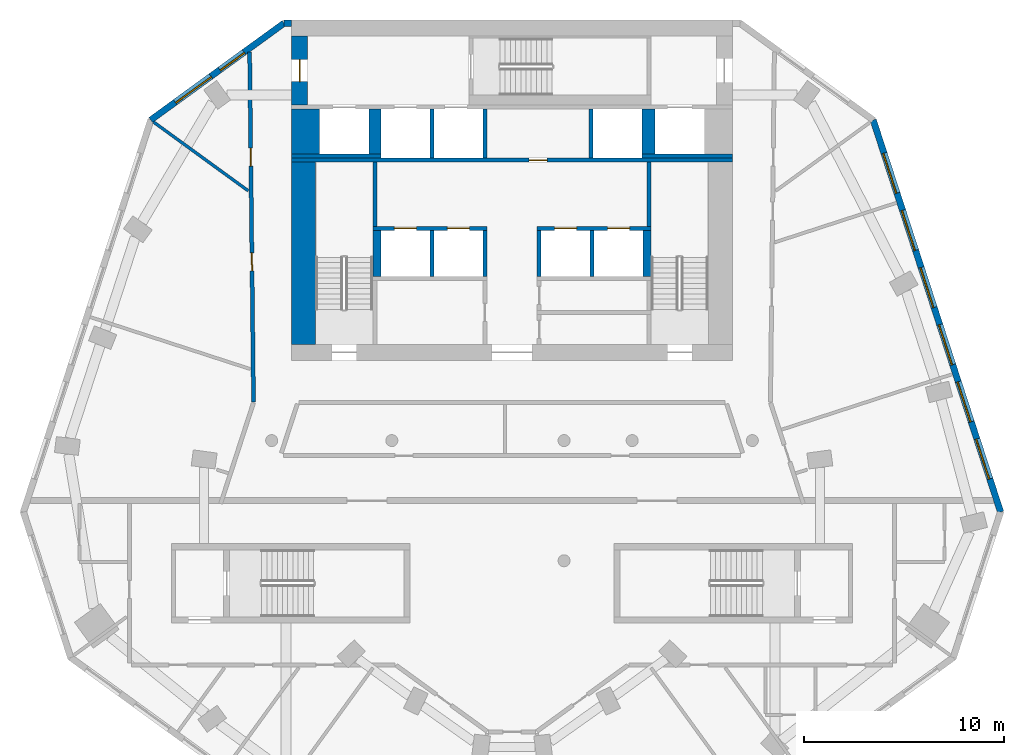
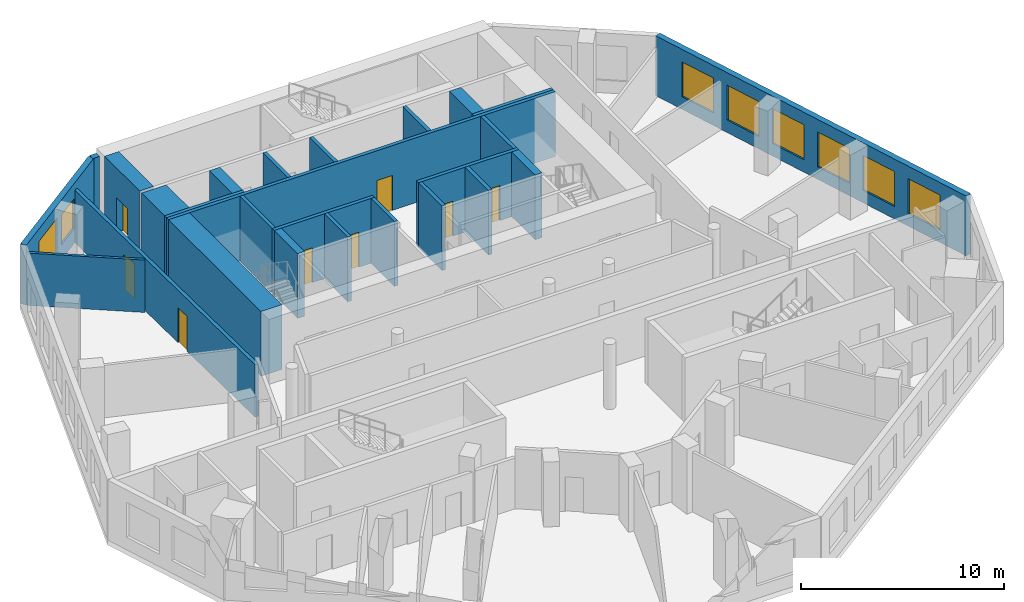
# One storey, part 5 of 9: 26 walls, 8 doors, 8 windows, 16 openings.
"""IFC4 building model written with IfcOpenShell, lengths in metres."""

import ifcopenshell
import ifcopenshell.guid

model = None  # the IFC model being written
_history = None  # IfcOwnerHistory: only IFC2X3 demands one
_inside = {}  # id of a spatial element -> (the spatial element, [elements in it])
_under = {}  # id of a project, library or spatial element -> (it, [spatial elements below it])
_declared = {}  # id of a project -> (the project, [libraries it declares])
_typed = {}  # id of a type object -> (the type object, [elements of that type])
_made_of = {}  # id of a material, layer set ... -> (it, [elements and type objects made of it])


def new_model(schema):
    """Start an empty IFC model of exactly this schema.

    Asked for "IFC4X3", IfcOpenShell would pick the latest addendum, in which some entities
    have other attributes; the version numbers below select the first issue.
    IFC2X3 requires an IfcOwnerHistory on every rooted entity: one is made here for all.
    """
    global model, _history
    if schema == "IFC4X3":
        model = ifcopenshell.file(schema_version=(4, 3, 0, 0))
    else:
        model = ifcopenshell.file(schema=schema)
    _inside.clear()
    _under.clear()
    _declared.clear()
    _typed.clear()
    _made_of.clear()
    _history = None
    if model.schema == "IFC2X3":
        org = make("IfcOrganization", Name="unknown")
        user = make(
            "IfcPersonAndOrganization",
            ThePerson=make("IfcPerson", FamilyName="unknown"),
            TheOrganization=org,
        )
        app = make(
            "IfcApplication",
            ApplicationDeveloper=org,
            Version="unknown",
            ApplicationFullName="unknown",
            ApplicationIdentifier="unknown",
        )
        _history = make(
            "IfcOwnerHistory",
            OwningUser=user,
            OwningApplication=app,
            ChangeAction="ADDED",
            CreationDate=0,
        )
    return model


def make(cls, **values):
    """One entity of the class cls with the attributes given. An attribute that is None is left unset."""
    return model.create_entity(
        cls, **{name: value for name, value in values.items() if value is not None}
    )


def rooted(cls, **values):
    """An entity with a GlobalId (a new one), such as an element, a storey or a relation."""
    return make(cls, GlobalId=ifcopenshell.guid.new(), OwnerHistory=_history, **values)


def si_unit(unit_type, name, prefix=None):
    """IfcSIUnit, for example si_unit("LENGTHUNIT", "METRE", prefix="MILLI")."""
    return make("IfcSIUnit", UnitType=unit_type, Prefix=prefix, Name=name)


def assignment(units):
    """IfcUnitAssignment: the units of a project."""
    return None if units is None else make("IfcUnitAssignment", Units=units)


def point(xyz):
    """IfcCartesianPoint."""
    return None if xyz is None else make("IfcCartesianPoint", Coordinates=xyz)


def direction(xyz):
    """IfcDirection."""
    return None if xyz is None else make("IfcDirection", DirectionRatios=xyz)


def frame(location, z_axis=None, x_axis=None):
    """IfcAxis2Placement3D, a coordinate frame: its origin and axes. An axis left out is left unset."""
    return make(
        "IfcAxis2Placement3D",
        Location=point(location),
        Axis=direction(z_axis),
        RefDirection=direction(x_axis),
    )


def frame_2d(location, x_axis=None):
    """IfcAxis2Placement2D, a coordinate frame in the plane: its origin and x axis."""
    return make(
        "IfcAxis2Placement2D", Location=point(location), RefDirection=direction(x_axis)
    )


def origin():
    """The frame at (0, 0, 0) with its axes left unset."""
    return frame((0.0, 0.0, 0.0))


def place(relative_to, where):
    """IfcLocalPlacement: puts the frame where relative to a parent placement (None: the world)."""
    return make(
        "IfcLocalPlacement", PlacementRelTo=relative_to, RelativePlacement=where
    )


def context(
    kind, dimensions, precision=None, world=None, true_north=None, identifier=None
):
    """IfcGeometricRepresentationContext, for example the 3D "Model" context."""
    return make(
        "IfcGeometricRepresentationContext",
        ContextIdentifier=identifier,
        ContextType=kind,
        CoordinateSpaceDimension=dimensions,
        Precision=precision,
        WorldCoordinateSystem=world,
        TrueNorth=true_north,
    )


def subcontext(parent, identifier, kind, view, scale=None):
    """IfcGeometricRepresentationSubContext, for example "Body" below "Model"."""
    return make(
        "IfcGeometricRepresentationSubContext",
        ContextIdentifier=identifier,
        ContextType=kind,
        ParentContext=parent,
        TargetScale=scale,
        TargetView=view,
    )


def project(units=None, contexts=None):
    """IfcProject with its units and contexts."""
    return rooted(
        "IfcProject",
        Name="project",
        RepresentationContexts=contexts,
        UnitsInContext=assignment(units),
    )


def spatial(cls, under=None, at=None, **own):
    """A site, building, storey or space (cls), placed at a placement, below another one or the project."""
    s = rooted(cls, ObjectPlacement=at, **own)
    if under is not None:
        _under.setdefault(under.id(), (under, []))[1].append(s)
    return s


def profile(cls, at=None, kind="AREA", **sizes):
    """A parametric profile (cls). Its sizes go by their IFC names, for example OverallWidth=200.0."""
    return make(cls, ProfileType=kind, Position=at, **sizes)


def rectangle(**sizes):
    """IfcRectangleProfileDef."""
    return profile("IfcRectangleProfileDef", **sizes)


def extrude(swept, where, along, depth):
    """IfcExtrudedAreaSolid: the profile swept, set in the frame where, extruded along a direction by depth."""
    return make(
        "IfcExtrudedAreaSolid",
        SweptArea=swept,
        Position=where,
        ExtrudedDirection=direction(along),
        Depth=depth,
    )


def shape(context_of_items, identifier, shape_type, items):
    """IfcShapeRepresentation: the items that make up one representation, for example the "Body"."""
    return make(
        "IfcShapeRepresentation",
        ContextOfItems=context_of_items,
        RepresentationIdentifier=identifier,
        RepresentationType=shape_type,
        Items=items,
    )


def material(Name=None, Category=None):
    """IfcMaterial."""
    return make("IfcMaterial", Name=Name, Category=Category)


def layer(
    of_material, thickness, ventilated=None, Name=None, Category=None, Priority=None
):
    """IfcMaterialLayer: one layer of a wall or slab, of a material (None: an air gap)."""
    return make(
        "IfcMaterialLayer",
        Material=of_material,
        LayerThickness=thickness,
        IsVentilated=ventilated,
        Name=Name,
        Category=Category,
        Priority=Priority,
    )


def layer_set(layers, Name=None):
    """IfcMaterialLayerSet."""
    return make("IfcMaterialLayerSet", MaterialLayers=layers, LayerSetName=Name)


def made_of(thing, what):
    """Note that an element or type object is made of a material, layer set ...; save() writes the relation."""
    if what is not None:
        _made_of.setdefault(what.id(), (what, []))[1].append(thing)
    return thing


def type_object(cls, material=None, **own):
    """A type object (cls), such as IfcWallType, which elements share."""
    return made_of(rooted(cls, **own), material)


def element(
    cls,
    number,
    at=None,
    inside=None,
    cuts=None,
    type_object=None,
    material=None,
    context=None,
    identifier="Body",
    shape_type=None,
    held_by="IfcProductDefinitionShape",
    body=None,
    shapes=None,
    **own,
):
    """One element of the class cls, such as IfcWall. Its Tag is "e" and its number.

    at: its placement. inside: the storey or other place that contains it. cuts: it is an
    opening in that element (IfcRelVoidsElement). A single representation is given by context,
    identifier, shape_type and body (its items); several are given by shapes. held_by: the class
    of the entity that holds the representations. save() writes the other relations.
    """
    e = rooted(cls, Tag="e%d" % number, ObjectPlacement=at, **own)
    if body is not None:
        shapes = [shape(context, identifier, shape_type, body)]
    if shapes is not None:
        e.Representation = make(held_by, Representations=shapes)
    if inside is not None:
        _inside.setdefault(inside.id(), (inside, []))[1].append(e)
    if cuts is not None:
        rooted(
            "IfcRelVoidsElement", RelatingBuildingElement=cuts, RelatedOpeningElement=e
        )
    if type_object is not None:
        _typed.setdefault(type_object.id(), (type_object, []))[1].append(e)
    return made_of(e, material)


def fill(opening, filler):
    """IfcRelFillsElement: the door or window that sits in an opening."""
    return rooted(
        "IfcRelFillsElement",
        RelatingOpeningElement=opening,
        RelatedBuildingElement=filler,
    )


def aggregate(whole, parts):
    """IfcRelAggregates: a whole, such as a stair, and the parts it consists of."""
    return rooted("IfcRelAggregates", RelatingObject=whole, RelatedObjects=parts)


def save(model, path):
    """Write the relations noted so far, then the file.

    IfcRelAggregates (storeys below a building ...), IfcRelContainedInSpatialStructure (elements
    in a storey), IfcRelDefinesByType, IfcRelAssociatesMaterial and IfcRelDeclares: one each for
    every whole, place, type object, material and project.
    """
    for whole, parts in _under.values():
        aggregate(whole, parts)
    for where, things in _inside.values():
        rooted(
            "IfcRelContainedInSpatialStructure",
            RelatedElements=things,
            RelatingStructure=where,
        )
    for kind, things in _typed.values():
        rooted("IfcRelDefinesByType", RelatedObjects=things, RelatingType=kind)
    for what, things in _made_of.values():
        rooted("IfcRelAssociatesMaterial", RelatedObjects=things, RelatingMaterial=what)
    for by, libraries in _declared.values():
        rooted("IfcRelDeclares", RelatingContext=by, RelatedDefinitions=libraries)
    model.write(path)


model = new_model("IFC4")

# Units and contexts
model_context = context("Model", 3, precision=1e-05, world=origin(), true_north=direction((0.0, 1.0)))
body_context = subcontext(model_context, "Body", "Model", "MODEL_VIEW")
ifc_project = project(units=[si_unit("LENGTHUNIT", "METRE"), si_unit("AREAUNIT", "SQUARE_METRE"), si_unit("VOLUMEUNIT", "CUBIC_METRE"), si_unit("PLANEANGLEUNIT", "RADIAN"), si_unit("MASSUNIT", "GRAM", prefix="KILO")], contexts=[model_context])

# Site, building, storey
site_placement = place(None, origin())
site = spatial("IfcSite", under=ifc_project, at=site_placement, CompositionType="ELEMENT")
building_placement = place(site_placement, origin())
building = spatial("IfcBuilding", under=site, at=building_placement, Name="White Candle Pilgrim Tower", CompositionType="ELEMENT")
storey_placement = place(building_placement, frame((0.0, 0.0, 223.800048828125)))
storey = spatial("IfcBuildingStorey", under=building, at=storey_placement, Name="L52", CompositionType="ELEMENT", Elevation=223.800048828125)

# Walls
ifc_material_1 = material(Name="Concrete C50/60", Category="concrete")
ifc_layer_1 = layer(ifc_material_1, 1.39990234375)
ifc_layer_set_1 = layer_set([ifc_layer_1], Name="Core wall 1400 mm Concrete C50/60")
wall_type_1 = type_object("IfcWallType", Name="Core wall 1400 mm Concrete C50/60", PredefinedType="SHEAR", material=ifc_layer_set_1)
wall_1_placement = place(storey_placement, frame((59.699951171875, 81.300048828125, 0.0), z_axis=(0.0, 0.0, 1.0), x_axis=(0.0, 1.0, 0.0)))
element("IfcWall", 1, at=wall_1_placement, inside=storey, type_object=wall_type_1, Name="WL-L52-C39", PredefinedType="SHEAR", context=body_context, shape_type="SweptSolid", body=[
    extrude(rectangle(XDim=2.25, YDim=1.39990234375, at=frame_2d((1.125, 0.0))), origin(), (0.0, 0.0, 1.0), 3.89990234375),
])
ifc_layer_2 = layer(ifc_material_1, 0.199951171875)
ifc_layer_set_2 = layer_set([ifc_layer_2], Name="Core wall 200 mm Concrete C50/60")
wall_type_2 = type_object("IfcWallType", Name="Core wall 200 mm Concrete C50/60", PredefinedType="SHEAR", material=ifc_layer_set_2)
wall_2_placement = place(storey_placement, frame((59.0, 81.199951171875, 0.0), z_axis=(0.0, 0.0, 1.0), x_axis=(1.0, 0.0, 0.0)))
element("IfcWall", 2, at=wall_2_placement, inside=storey, type_object=wall_type_2, Name="WL-L52-C34", PredefinedType="SHEAR", context=body_context, shape_type="SweptSolid", body=[
    extrude(rectangle(XDim=4.449951171875, YDim=0.199951171875, at=frame_2d((2.22509765625, 0.0))), origin(), (0.0, 0.0, 1.0), 3.89990234375),
])
wall_3_placement = place(storey_placement, frame((76.5, 81.199951171875, 0.0), z_axis=(0.0, 0.0, 1.0), x_axis=(1.0, 0.0, 0.0)))
element("IfcWall", 3, at=wall_3_placement, inside=storey, type_object=wall_type_2, Name="WL-L52-C38", PredefinedType="SHEAR", context=body_context, shape_type="SweptSolid", body=[
    extrude(rectangle(XDim=4.5, YDim=0.199951171875, at=frame_2d((2.25, 0.0))), origin(), (0.0, 0.0, 1.0), 3.89990234375),
])

# Wall, opening, door
ifc_layer_3 = layer(ifc_material_1, 0.800048828125)
ifc_layer_set_3 = layer_set([ifc_layer_3], Name="Core wall 800 mm Concrete C50/60")
wall_type_3 = type_object("IfcWallType", Name="Core wall 800 mm Concrete C50/60", PredefinedType="SHEAR", material=ifc_layer_set_3)
wall_4_placement = place(storey_placement, frame((59.39990234375, 83.75, 0.0), z_axis=(0.0, 0.0, 1.0), x_axis=(0.0, 1.0, 0.0)))
wall_4 = element("IfcWall", 4, at=wall_4_placement, inside=storey, type_object=wall_type_3, Name="WL-L52-C44", PredefinedType="SHEAR", context=body_context, shape_type="SweptSolid", body=[
    extrude(rectangle(XDim=3.449951171875, YDim=0.800048828125, at=frame_2d((1.72509765625, 0.0))), origin(), (0.0, 0.0, 1.0), 3.89990234375),
])
opening_1_placement = place(wall_4_placement, frame((1.175048828125, 0.0, 0.0)))
opening_1 = element("IfcOpeningElement", 5, at=opening_1_placement, cuts=wall_4, Name="Opening T16-008", PredefinedType="OPENING", context=body_context, shape_type="SweptSolid", body=[
    extrude(rectangle(XDim=1.10009765625, YDim=2.10009765625, at=frame_2d((0.550048828125, 1.050048828125))), frame((0.0, 0.409912109375, 0.0), z_axis=(0.0, -1.0, 0.0), x_axis=(1.0, 0.0, 0.0)), (0.0, 0.0, 1.0), 0.820068359375),
])
ifc_material_2 = material(Name="Steel door leaf", Category="steel")
door_type_1 = type_object("IfcDoorType", Name="Fire door 1100 x 2100 EI 60", OperationType="NOTDEFINED", PredefinedType="DOOR", material=ifc_material_2)
door_1_placement = place(opening_1_placement, origin())
door_1 = element("IfcDoor", 6, at=door_1_placement, inside=storey, type_object=door_type_1, Name="Door T16-008", OperationType="SINGLE_SWING_RIGHT", OverallHeight=2.10009765625, OverallWidth=1.10009765625, PredefinedType="DOOR", context=body_context, shape_type="SweptSolid", body=[
    extrude(rectangle(XDim=1.10009765625, YDim=2.10009765625, at=frame_2d((0.550048828125, 1.050048828125))), frame((0.0, 0.02490234375, 0.0), z_axis=(0.0, -1.0, 0.0), x_axis=(1.0, 0.0, 0.0)), (0.0, 0.0, 1.0), 0.050048828125),
])
fill(opening_1, door_1)

# Wall, openings, doors
ifc_material_3 = material(Name="Gypsum board on steel studs", Category="steel")
ifc_layer_4 = layer(ifc_material_3, 0.199951171875)
ifc_layer_set_4 = layer_set([ifc_layer_4], Name="Corridor wall 200 mm EI 45")
wall_type_4 = type_object("IfcWallType", Name="Corridor wall 200 mm EI 45", PredefinedType="PARTITIONING", material=ifc_layer_set_4)
wall_5_placement = place(storey_placement, frame((57.094970703125, 68.91650390625, 0.0), z_axis=(0.0, 0.0, 1.0), x_axis=(-0.011158990621, 0.999937736526, 0.0)))
wall_5 = element("IfcWall", 7, at=wall_5_placement, inside=storey, type_object=wall_type_4, Name="WL-L52-P003", PredefinedType="PARTITIONING", context=body_context, shape_type="SweptSolid", body=[
    extrude(rectangle(XDim=17.480712890625, YDim=0.199951171875, at=frame_2d((8.740234375, 0.0))), origin(), (0.0, 0.0, 1.0), 3.14990234375),
])
opening_2_placement = place(wall_5_placement, frame((6.55224609375, 0.0, 0.0)))
opening_2 = element("IfcOpeningElement", 8, at=opening_2_placement, cuts=wall_5, Name="Opening T16-118", PredefinedType="OPENING", context=body_context, shape_type="SweptSolid", body=[
    extrude(rectangle(XDim=0.89990234375, YDim=2.10009765625, at=frame_2d((0.449951171875, 1.050048828125))), frame((0.0, 0.10986328125, 0.0), z_axis=(0.0, -1.0, 0.0), x_axis=(1.0, 0.0, 0.0)), (0.0, 0.0, 1.0), 0.219970703125),
])
opening_3_placement = place(wall_5_placement, frame((11.78662109375, 0.0, 0.0)))
opening_3 = element("IfcOpeningElement", 9, at=opening_3_placement, cuts=wall_5, Name="Opening T16-119", PredefinedType="OPENING", context=body_context, shape_type="SweptSolid", body=[
    extrude(rectangle(XDim=0.89990234375, YDim=2.10009765625, at=frame_2d((0.449951171875, 1.050048828125))), frame((0.0, 0.10986328125, 0.0), z_axis=(0.0, -1.0, 0.0), x_axis=(1.0, 0.0, 0.0)), (0.0, 0.0, 1.0), 0.219970703125),
])
door_type_2 = type_object("IfcDoorType", Name="Fire door 900 x 2100 EI 30", OperationType="NOTDEFINED", PredefinedType="DOOR", material=ifc_material_2)
door_2_placement = place(opening_2_placement, origin())
door_2 = element("IfcDoor", 10, at=door_2_placement, inside=storey, type_object=door_type_2, Name="Door T16-118", OperationType="SINGLE_SWING_RIGHT", OverallHeight=2.10009765625, OverallWidth=0.89990234375, PredefinedType="DOOR", context=body_context, shape_type="SweptSolid", body=[
    extrude(rectangle(XDim=0.89990234375, YDim=2.10009765625, at=frame_2d((0.449951171875, 1.050048828125))), frame((0.0, 0.02490234375, 0.0), z_axis=(0.0, -1.0, 0.0), x_axis=(1.0, 0.0, 0.0)), (0.0, 0.0, 1.0), 0.050048828125),
])
fill(opening_2, door_2)
door_3_placement = place(opening_3_placement, origin())
door_3 = element("IfcDoor", 11, at=door_3_placement, inside=storey, type_object=door_type_2, Name="Door T16-119", OperationType="SINGLE_SWING_LEFT", OverallHeight=2.10009765625, OverallWidth=0.89990234375, PredefinedType="DOOR", context=body_context, shape_type="SweptSolid", body=[
    extrude(rectangle(XDim=0.89990234375, YDim=2.10009765625, at=frame_2d((0.449951171875, 1.050048828125))), frame((0.0, 0.02490234375, 0.0), z_axis=(0.0, -1.0, 0.0), x_axis=(1.0, 0.0, 0.0)), (0.0, 0.0, 1.0), 0.050048828125),
])
fill(opening_3, door_3)

# Wall, openings, windows
ifc_material_4 = material(Name="Precast concrete C40/50", Category="concrete")
ifc_layer_5 = layer(ifc_material_4, 0.320068359375)
ifc_layer_set_5 = layer_set([ifc_layer_5], Name="Facade wall EW1 precast concrete C40/50 pier wall with timber-lined reveals")
wall_type_5 = type_object("IfcWallType", Name="Facade wall EW1 precast concrete C40/50 pier wall with timber-lined reveals", PredefinedType="SOLIDWALL", material=ifc_layer_set_5)
wall_6_placement = place(storey_placement, frame((94.39697265625, 63.431884765625, 0.0), z_axis=(0.0, 0.0, 1.0), x_axis=(-0.309012851328, 0.951057862443, 0.0)))
wall_6 = element("IfcWall", 12, at=wall_6_placement, inside=storey, type_object=wall_type_5, Name="Facade wall L52 ENE", PredefinedType="SOLIDWALL", context=body_context, shape_type="SweptSolid", body=[
    extrude(rectangle(XDim=20.582763671875, YDim=0.320068359375, at=frame_2d((10.29150390625, 0.0))), origin(), (0.0, 0.0, 1.0), 3.599853515625),
])
opening_4_placement = place(wall_6_placement, frame((1.741455078125, 0.0, 0.75)))
opening_4 = element("IfcOpeningElement", 13, at=opening_4_placement, cuts=wall_6, Name="Opening W3", PredefinedType="OPENING", context=body_context, shape_type="SweptSolid", body=[
    extrude(rectangle(XDim=2.10009765625, YDim=2.10009765625, at=frame_2d((1.050048828125, 1.050048828125))), frame((0.0, 0.169921875, 0.0), z_axis=(0.0, -1.0, 0.0), x_axis=(1.0, 0.0, 0.0)), (0.0, 0.0, 1.0), 0.340087890625),
])
opening_5_placement = place(wall_6_placement, frame((4.741455078125, 0.0, 0.75)))
opening_5 = element("IfcOpeningElement", 14, at=opening_5_placement, cuts=wall_6, Name="Opening W3", PredefinedType="OPENING", context=body_context, shape_type="SweptSolid", body=[
    extrude(rectangle(XDim=2.10009765625, YDim=2.10009765625, at=frame_2d((1.050048828125, 1.050048828125))), frame((0.0, 0.169921875, 0.0), z_axis=(0.0, -1.0, 0.0), x_axis=(1.0, 0.0, 0.0)), (0.0, 0.0, 1.0), 0.340087890625),
])
opening_6_placement = place(wall_6_placement, frame((7.741455078125, 0.0, 0.75)))
opening_6 = element("IfcOpeningElement", 15, at=opening_6_placement, cuts=wall_6, Name="Opening W3", PredefinedType="OPENING", context=body_context, shape_type="SweptSolid", body=[
    extrude(rectangle(XDim=2.10009765625, YDim=2.10009765625, at=frame_2d((1.050048828125, 1.050048828125))), frame((0.0, 0.169921875, 0.0), z_axis=(0.0, -1.0, 0.0), x_axis=(1.0, 0.0, 0.0)), (0.0, 0.0, 1.0), 0.340087890625),
])
opening_7_placement = place(wall_6_placement, frame((10.741455078125, 0.0, 0.75)))
opening_7 = element("IfcOpeningElement", 16, at=opening_7_placement, cuts=wall_6, Name="Opening W3", PredefinedType="OPENING", context=body_context, shape_type="SweptSolid", body=[
    extrude(rectangle(XDim=2.10009765625, YDim=2.10009765625, at=frame_2d((1.050048828125, 1.050048828125))), frame((0.0, 0.169921875, 0.0), z_axis=(0.0, -1.0, 0.0), x_axis=(1.0, 0.0, 0.0)), (0.0, 0.0, 1.0), 0.340087890625),
])
opening_8_placement = place(wall_6_placement, frame((13.741455078125, 0.0, 0.75)))
opening_8 = element("IfcOpeningElement", 17, at=opening_8_placement, cuts=wall_6, Name="Opening W3", PredefinedType="OPENING", context=body_context, shape_type="SweptSolid", body=[
    extrude(rectangle(XDim=2.10009765625, YDim=2.10009765625, at=frame_2d((1.050048828125, 1.050048828125))), frame((0.0, 0.169921875, 0.0), z_axis=(0.0, -1.0, 0.0), x_axis=(1.0, 0.0, 0.0)), (0.0, 0.0, 1.0), 0.340087890625),
])
opening_9_placement = place(wall_6_placement, frame((16.741455078125, 0.0, 0.75)))
opening_9 = element("IfcOpeningElement", 18, at=opening_9_placement, cuts=wall_6, Name="Opening W3", PredefinedType="OPENING", context=body_context, shape_type="SweptSolid", body=[
    extrude(rectangle(XDim=2.10009765625, YDim=2.10009765625, at=frame_2d((1.050048828125, 1.050048828125))), frame((0.0, 0.169921875, 0.0), z_axis=(0.0, -1.0, 0.0), x_axis=(1.0, 0.0, 0.0)), (0.0, 0.0, 1.0), 0.340087890625),
])
ifc_material_5 = material(Name="Timber frame with triple glazing", Category="wood")
window_type_1 = type_object("IfcWindowType", Name="Window W3 2100x2100 timber frame triple glazing", PartitioningType="SINGLE_PANEL", PredefinedType="WINDOW", material=ifc_material_5)
window_1_placement = place(opening_4_placement, origin())
window_1 = element("IfcWindow", 19, at=window_1_placement, inside=storey, type_object=window_type_1, Name="Window W3 L52 ENE 1", OverallHeight=2.10009765625, OverallWidth=2.10009765625, PartitioningType="SINGLE_PANEL", PredefinedType="WINDOW", context=body_context, shape_type="SweptSolid", body=[
    extrude(rectangle(XDim=2.10009765625, YDim=2.10009765625, at=frame_2d((1.050048828125, 1.050048828125))), frame((0.0, 0.070068359375, 0.0), z_axis=(0.0, -1.0, 0.0), x_axis=(1.0, 0.0, 0.0)), (0.0, 0.0, 1.0), 0.06005859375),
])
fill(opening_4, window_1)
window_2_placement = place(opening_5_placement, origin())
window_2 = element("IfcWindow", 20, at=window_2_placement, inside=storey, type_object=window_type_1, Name="Window W3 L52 ENE 2", OverallHeight=2.10009765625, OverallWidth=2.10009765625, PartitioningType="SINGLE_PANEL", PredefinedType="WINDOW", context=body_context, shape_type="SweptSolid", body=[
    extrude(rectangle(XDim=2.10009765625, YDim=2.10009765625, at=frame_2d((1.050048828125, 1.050048828125))), frame((0.0, 0.070068359375, 0.0), z_axis=(0.0, -1.0, 0.0), x_axis=(1.0, 0.0, 0.0)), (0.0, 0.0, 1.0), 0.06005859375),
])
fill(opening_5, window_2)
window_3_placement = place(opening_6_placement, origin())
window_3 = element("IfcWindow", 21, at=window_3_placement, inside=storey, type_object=window_type_1, Name="Window W3 L52 ENE 3", OverallHeight=2.10009765625, OverallWidth=2.10009765625, PartitioningType="SINGLE_PANEL", PredefinedType="WINDOW", context=body_context, shape_type="SweptSolid", body=[
    extrude(rectangle(XDim=2.10009765625, YDim=2.10009765625, at=frame_2d((1.050048828125, 1.050048828125))), frame((0.0, 0.070068359375, 0.0), z_axis=(0.0, -1.0, 0.0), x_axis=(1.0, 0.0, 0.0)), (0.0, 0.0, 1.0), 0.06005859375),
])
fill(opening_6, window_3)
window_4_placement = place(opening_7_placement, origin())
window_4 = element("IfcWindow", 22, at=window_4_placement, inside=storey, type_object=window_type_1, Name="Window W3 L52 ENE 4", OverallHeight=2.10009765625, OverallWidth=2.10009765625, PartitioningType="SINGLE_PANEL", PredefinedType="WINDOW", context=body_context, shape_type="SweptSolid", body=[
    extrude(rectangle(XDim=2.10009765625, YDim=2.10009765625, at=frame_2d((1.050048828125, 1.050048828125))), frame((0.0, 0.070068359375, 0.0), z_axis=(0.0, -1.0, 0.0), x_axis=(1.0, 0.0, 0.0)), (0.0, 0.0, 1.0), 0.06005859375),
])
fill(opening_7, window_4)
window_5_placement = place(opening_8_placement, origin())
window_5 = element("IfcWindow", 23, at=window_5_placement, inside=storey, type_object=window_type_1, Name="Window W3 L52 ENE 5", OverallHeight=2.10009765625, OverallWidth=2.10009765625, PartitioningType="SINGLE_PANEL", PredefinedType="WINDOW", context=body_context, shape_type="SweptSolid", body=[
    extrude(rectangle(XDim=2.10009765625, YDim=2.10009765625, at=frame_2d((1.050048828125, 1.050048828125))), frame((0.0, 0.070068359375, 0.0), z_axis=(0.0, -1.0, 0.0), x_axis=(1.0, 0.0, 0.0)), (0.0, 0.0, 1.0), 0.06005859375),
])
fill(opening_8, window_5)
window_6_placement = place(opening_9_placement, origin())
window_6 = element("IfcWindow", 24, at=window_6_placement, inside=storey, type_object=window_type_1, Name="Window W3 L52 ENE 6", OverallHeight=2.10009765625, OverallWidth=2.10009765625, PartitioningType="SINGLE_PANEL", PredefinedType="WINDOW", context=body_context, shape_type="SweptSolid", body=[
    extrude(rectangle(XDim=2.10009765625, YDim=2.10009765625, at=frame_2d((1.050048828125, 1.050048828125))), frame((0.0, 0.070068359375, 0.0), z_axis=(0.0, -1.0, 0.0), x_axis=(1.0, 0.0, 0.0)), (0.0, 0.0, 1.0), 0.06005859375),
])
fill(opening_9, window_6)

# Wall
wall_7_placement = place(storey_placement, frame((59.0, 87.840087890625, 0.0), z_axis=(0.0, 0.0, 1.0), x_axis=(-1.0, 0.0, 0.0)))
element("IfcWall", 25, at=wall_7_placement, inside=storey, type_object=wall_type_5, Name="Facade wall L52 N", PredefinedType="SOLIDWALL", context=body_context, shape_type="SweptSolid", body=[
    extrude(rectangle(XDim=0.385009765625, YDim=0.320068359375, at=frame_2d((0.1923828125, 0.0))), origin(), (0.0, 0.0, 1.0), 3.599853515625),
])

# Wall, openings, windows
wall_8_placement = place(storey_placement, frame((58.614990234375, 87.840087890625, 0.0), z_axis=(0.0, 0.0, 1.0), x_axis=(-0.809012068833, -0.587792031659, 0.0)))
wall_8 = element("IfcWall", 26, at=wall_8_placement, inside=storey, type_object=wall_type_5, Name="Facade wall L52 NW chamfer", PredefinedType="SOLIDWALL", context=body_context, shape_type="SweptSolid", body=[
    extrude(rectangle(XDim=8.221923828125, YDim=0.320068359375, at=frame_2d((4.11083984375, 0.0))), origin(), (0.0, 0.0, 1.0), 3.599853515625),
])
opening_10_placement = place(wall_8_placement, frame((2.459716796875, 0.0, 0.89990234375)))
opening_10 = element("IfcOpeningElement", 27, at=opening_10_placement, cuts=wall_8, Name="Opening W1", PredefinedType="OPENING", context=body_context, shape_type="SweptSolid", body=[
    extrude(rectangle(XDim=1.5, YDim=1.800048828125, at=frame_2d((0.75, 0.89990234375))), frame((0.0, 0.169921875, 0.0), z_axis=(0.0, -1.0, 0.0), x_axis=(1.0, 0.0, 0.0)), (0.0, 0.0, 1.0), 0.340087890625),
])
opening_11_placement = place(wall_8_placement, frame((4.510986328125, 0.0, 0.75)))
opening_11 = element("IfcOpeningElement", 28, at=opening_11_placement, cuts=wall_8, Name="Opening W4", PredefinedType="OPENING", context=body_context, shape_type="SweptSolid", body=[
    extrude(rectangle(XDim=2.199951171875, YDim=2.10009765625, at=frame_2d((1.10009765625, 1.050048828125))), frame((0.0, 0.169921875, 0.0), z_axis=(0.0, -1.0, 0.0), x_axis=(1.0, 0.0, 0.0)), (0.0, 0.0, 1.0), 0.340087890625),
])
window_type_2 = type_object("IfcWindowType", Name="Window W1 1500x1800 timber frame triple glazing", PartitioningType="SINGLE_PANEL", PredefinedType="WINDOW", material=ifc_material_5)
window_7_placement = place(opening_10_placement, origin())
window_7 = element("IfcWindow", 29, at=window_7_placement, inside=storey, type_object=window_type_2, Name="Window W1 L52 NW chamfer 1", OverallHeight=1.800048828125, OverallWidth=1.5, PartitioningType="SINGLE_PANEL", PredefinedType="WINDOW", context=body_context, shape_type="SweptSolid", body=[
    extrude(rectangle(XDim=1.5, YDim=1.800048828125, at=frame_2d((0.75, 0.89990234375))), frame((0.0, 0.070068359375, 0.0), z_axis=(0.0, -1.0, 0.0), x_axis=(1.0, 0.0, 0.0)), (0.0, 0.0, 1.0), 0.06005859375),
])
fill(opening_10, window_7)
window_type_3 = type_object("IfcWindowType", Name="Window W4 2200x2100 timber frame triple glazing", PartitioningType="SINGLE_PANEL", PredefinedType="WINDOW", material=ifc_material_5)
window_8_placement = place(opening_11_placement, origin())
window_8 = element("IfcWindow", 30, at=window_8_placement, inside=storey, type_object=window_type_3, Name="Window W4 L52 NW chamfer 2", OverallHeight=2.10009765625, OverallWidth=2.199951171875, PartitioningType="SINGLE_PANEL", PredefinedType="WINDOW", context=body_context, shape_type="SweptSolid", body=[
    extrude(rectangle(XDim=2.199951171875, YDim=2.10009765625, at=frame_2d((1.10009765625, 1.050048828125))), frame((0.0, 0.070068359375, 0.0), z_axis=(0.0, -1.0, 0.0), x_axis=(1.0, 0.0, 0.0)), (0.0, 0.0, 1.0), 0.06005859375),
])
fill(opening_11, window_8)

# Walls
ifc_layer_6 = layer(ifc_material_3, 0.14990234375)
ifc_layer_set_6 = layer_set([ifc_layer_6], Name="Partition 150 mm EI 60")
wall_type_6 = type_object("IfcWallType", Name="Partition 150 mm EI 60", PredefinedType="PARTITIONING", material=ifc_layer_set_6)
wall_9_placement = place(storey_placement, frame((52.099609375, 82.908447265625, 0.0), z_axis=(0.0, 0.0, 1.0), x_axis=(0.80901210161, -0.587791986546, 0.0)))
element("IfcWall", 31, at=wall_9_placement, inside=storey, type_object=wall_type_6, Name="WL-L52-P017", PredefinedType="PARTITIONING", context=body_context, shape_type="SweptSolid", body=[
    extrude(rectangle(XDim=5.850341796875, YDim=0.14990234375, at=frame_2d((2.92529296875, 0.0))), origin(), (0.0, 0.0, 1.0), 3.14990234375),
])
ifc_layer_7 = layer(ifc_material_1, 0.199951171875)
ifc_layer_set_7 = layer_set([ifc_layer_7], Name="Shaft wall 200 mm Concrete C50/60")
wall_type_7 = type_object("IfcWallType", Name="Shaft wall 200 mm Concrete C50/60", PredefinedType="SHEAR", material=ifc_layer_set_7)
for number, where, z_axis, x_axis, name in (
    (32, (66.0, 75.199951171875, 0.0), (0.0, 0.0, 1.0), (0.0, 1.0, 0.0), "WL-L52-C24"),
    (33, (68.64990234375, 75.199951171875, 0.0), (0.0, 0.0, 1.0), (0.0, 1.0, 0.0), "WL-L52-C25"),
    (34, (71.35009765625, 75.199951171875, 0.0), (0.0, 0.0, 1.0), (0.0, 1.0, 0.0), "WL-L52-C26"),
    (35, (74.0, 75.199951171875, 0.0), (0.0, 0.0, 1.0), (0.0, 1.0, 0.0), "WL-L52-C27"),
):
    element("IfcWall", number, at=place(storey_placement, frame(where, z_axis=z_axis, x_axis=x_axis)), inside=storey, type_object=wall_type_7, Name=name, PredefinedType="SHEAR", context=body_context, shape_type="SweptSolid", body=[
        extrude(rectangle(XDim=2.300048828125, YDim=0.199951171875, at=frame_2d((1.14990234375, 0.0))), origin(), (0.0, 0.0, 1.0), 3.89990234375),
    ])
for number, where, z_axis, x_axis, name in (
    (36, (66.0, 81.10009765625, 0.0), (0.0, 0.0, 1.0), (0.0, 1.0, 0.0), "WL-L52-C35"),
    (37, (68.64990234375, 81.10009765625, 0.0), (0.0, 0.0, 1.0), (0.0, 1.0, 0.0), "WL-L52-C36"),
    (38, (73.949951171875, 81.10009765625, 0.0), (0.0, 0.0, 1.0), (0.0, 1.0, 0.0), "WL-L52-C37"),
):
    element("IfcWall", number, at=place(storey_placement, frame(where, z_axis=z_axis, x_axis=x_axis)), inside=storey, type_object=wall_type_7, Name=name, PredefinedType="SHEAR", context=body_context, shape_type="SweptSolid", body=[
        extrude(rectangle(XDim=2.449951171875, YDim=0.199951171875, at=frame_2d((1.22509765625, 0.0))), origin(), (0.0, 0.0, 1.0), 3.89990234375),
    ])
ifc_layer_8 = layer(ifc_material_1, 0.60009765625)
ifc_layer_set_8 = layer_set([ifc_layer_8], Name="Shaft wall 600 mm Concrete C50/60")
wall_type_8 = type_object("IfcWallType", Name="Shaft wall 600 mm Concrete C50/60", PredefinedType="SHEAR", material=ifc_layer_set_8)
wall_10_placement = place(storey_placement, frame((63.14990234375, 81.300048828125, 0.0), z_axis=(0.0, 0.0, 1.0), x_axis=(0.0, 1.0, 0.0)))
element("IfcWall", 39, at=wall_10_placement, inside=storey, type_object=wall_type_8, Name="WL-L52-C40", PredefinedType="SHEAR", context=body_context, shape_type="SweptSolid", body=[
    extrude(rectangle(XDim=2.25, YDim=0.60009765625, at=frame_2d((1.125, 0.0))), origin(), (0.0, 0.0, 1.0), 3.89990234375),
])
ifc_layer_9 = layer(ifc_material_1, 0.64990234375)
ifc_layer_set_9 = layer_set([ifc_layer_9], Name="Shaft wall 650 mm Concrete C50/60")
wall_type_9 = type_object("IfcWallType", Name="Shaft wall 650 mm Concrete C50/60", PredefinedType="SHEAR", material=ifc_layer_set_9)
wall_11_placement = place(storey_placement, frame((76.824951171875, 81.300048828125, 0.0), z_axis=(0.0, 0.0, 1.0), x_axis=(0.0, 1.0, 0.0)))
element("IfcWall", 40, at=wall_11_placement, inside=storey, type_object=wall_type_9, Name="WL-L52-C41", PredefinedType="SHEAR", context=body_context, shape_type="SweptSolid", body=[
    extrude(rectangle(XDim=2.25, YDim=0.64990234375, at=frame_2d((1.125, 0.0))), origin(), (0.0, 0.0, 1.0), 3.89990234375),
])
ifc_layer_10 = layer(ifc_material_1, 1.199951171875)
ifc_layer_set_10 = layer_set([ifc_layer_10], Name="Stair shaft wall 1200 mm Concrete C50/60")
wall_type_10 = type_object("IfcWallType", Name="Stair shaft wall 1200 mm Concrete C50/60", PredefinedType="SHEAR", material=ifc_layer_set_10)
wall_12_placement = place(storey_placement, frame((59.60009765625, 71.800048828125, 0.0), z_axis=(0.0, 0.0, 1.0), x_axis=(0.0, 1.0, 0.0)))
element("IfcWall", 41, at=wall_12_placement, inside=storey, type_object=wall_type_10, Name="WL-L52-C12", PredefinedType="SHEAR", context=body_context, shape_type="SweptSolid", body=[
    extrude(rectangle(XDim=9.099853515625, YDim=1.199951171875, at=frame_2d((4.5498046875, 0.0))), origin(), (0.0, 0.0, 1.0), 3.89990234375),
])

# Wall, openings, doors
ifc_layer_11 = layer(ifc_material_1, 0.199951171875)
ifc_layer_set_11 = layer_set([ifc_layer_11], Name="Stair shaft wall 200 mm Concrete C50/60")
wall_type_11 = type_object("IfcWallType", Name="Stair shaft wall 200 mm Concrete C50/60", PredefinedType="SHEAR", material=ifc_layer_set_11)
wall_13_placement = place(storey_placement, frame((63.050048828125, 77.60009765625, 0.0), z_axis=(0.0, 0.0, 1.0), x_axis=(1.0, 0.0, 0.0)))
wall_13 = element("IfcWall", 42, at=wall_13_placement, inside=storey, type_object=wall_type_11, Name="WL-L52-C29", PredefinedType="SHEAR", context=body_context, shape_type="SweptSolid", body=[
    extrude(rectangle(XDim=5.699951171875, YDim=0.199951171875, at=frame_2d((2.85009765625, 0.0))), origin(), (0.0, 0.0, 1.0), 3.89990234375),
])
opening_12_placement = place(wall_13_placement, frame((1.074951171875, 0.0, 0.0)))
opening_12 = element("IfcOpeningElement", 43, at=opening_12_placement, cuts=wall_13, Name="Opening T16-014", PredefinedType="OPENING", context=body_context, shape_type="SweptSolid", body=[
    extrude(rectangle(XDim=1.10009765625, YDim=2.10009765625, at=frame_2d((0.550048828125, 1.050048828125))), frame((0.0, 0.10986328125, 0.0), z_axis=(0.0, -1.0, 0.0), x_axis=(1.0, 0.0, 0.0)), (0.0, 0.0, 1.0), 0.219970703125),
])
opening_13_placement = place(wall_13_placement, frame((3.72509765625, 0.0, 0.0)))
opening_13 = element("IfcOpeningElement", 44, at=opening_13_placement, cuts=wall_13, Name="Opening T16-015", PredefinedType="OPENING", context=body_context, shape_type="SweptSolid", body=[
    extrude(rectangle(XDim=1.10009765625, YDim=2.10009765625, at=frame_2d((0.550048828125, 1.050048828125))), frame((0.0, 0.10986328125, 0.0), z_axis=(0.0, -1.0, 0.0), x_axis=(1.0, 0.0, 0.0)), (0.0, 0.0, 1.0), 0.219970703125),
])
ifc_material_6 = material(Name="Stainless steel", Category="steel")
door_type_3 = type_object("IfcDoorType", Name="Lift landing door 1100 x 2100 E 60", OperationType="DOUBLE_DOOR_SLIDING", PredefinedType="DOOR", material=ifc_material_6)
door_4_placement = place(opening_12_placement, origin())
door_4 = element("IfcDoor", 45, at=door_4_placement, inside=storey, type_object=door_type_3, Name="Door T16-014", OperationType="DOUBLE_DOOR_SLIDING", OverallHeight=2.10009765625, OverallWidth=1.10009765625, PredefinedType="DOOR", context=body_context, shape_type="SweptSolid", body=[
    extrude(rectangle(XDim=1.10009765625, YDim=2.10009765625, at=frame_2d((0.550048828125, 1.050048828125))), frame((0.0, 0.02490234375, 0.0), z_axis=(0.0, -1.0, 0.0), x_axis=(1.0, 0.0, 0.0)), (0.0, 0.0, 1.0), 0.050048828125),
])
fill(opening_12, door_4)
door_5_placement = place(opening_13_placement, origin())
door_5 = element("IfcDoor", 46, at=door_5_placement, inside=storey, type_object=door_type_3, Name="Door T16-015", OperationType="DOUBLE_DOOR_SLIDING", OverallHeight=2.10009765625, OverallWidth=1.10009765625, PredefinedType="DOOR", context=body_context, shape_type="SweptSolid", body=[
    extrude(rectangle(XDim=1.10009765625, YDim=2.10009765625, at=frame_2d((0.550048828125, 1.050048828125))), frame((0.0, 0.02490234375, 0.0), z_axis=(0.0, -1.0, 0.0), x_axis=(1.0, 0.0, 0.0)), (0.0, 0.0, 1.0), 0.050048828125),
])
fill(opening_13, door_5)

wall_14_placement = place(storey_placement, frame((71.25, 77.60009765625, 0.0), z_axis=(0.0, 0.0, 1.0), x_axis=(1.0, 0.0, 0.0)))
wall_14 = element("IfcWall", 47, at=wall_14_placement, inside=storey, type_object=wall_type_11, Name="WL-L52-C30", PredefinedType="SHEAR", context=body_context, shape_type="SweptSolid", body=[
    extrude(rectangle(XDim=5.699951171875, YDim=0.199951171875, at=frame_2d((2.85009765625, 0.0))), origin(), (0.0, 0.0, 1.0), 3.89990234375),
])
opening_14_placement = place(wall_14_placement, frame((0.875, 0.0, 0.0)))
opening_14 = element("IfcOpeningElement", 48, at=opening_14_placement, cuts=wall_14, Name="Opening T16-016", PredefinedType="OPENING", context=body_context, shape_type="SweptSolid", body=[
    extrude(rectangle(XDim=1.10009765625, YDim=2.10009765625, at=frame_2d((0.550048828125, 1.050048828125))), frame((0.0, 0.10986328125, 0.0), z_axis=(0.0, -1.0, 0.0), x_axis=(1.0, 0.0, 0.0)), (0.0, 0.0, 1.0), 0.219970703125),
])
opening_15_placement = place(wall_14_placement, frame((3.52490234375, 0.0, 0.0)))
opening_15 = element("IfcOpeningElement", 49, at=opening_15_placement, cuts=wall_14, Name="Opening T16-017", PredefinedType="OPENING", context=body_context, shape_type="SweptSolid", body=[
    extrude(rectangle(XDim=1.10009765625, YDim=2.10009765625, at=frame_2d((0.550048828125, 1.050048828125))), frame((0.0, 0.10986328125, 0.0), z_axis=(0.0, -1.0, 0.0), x_axis=(1.0, 0.0, 0.0)), (0.0, 0.0, 1.0), 0.219970703125),
])
door_6_placement = place(opening_14_placement, origin())
door_6 = element("IfcDoor", 50, at=door_6_placement, inside=storey, type_object=door_type_3, Name="Door T16-016", OperationType="DOUBLE_DOOR_SLIDING", OverallHeight=2.10009765625, OverallWidth=1.10009765625, PredefinedType="DOOR", context=body_context, shape_type="SweptSolid", body=[
    extrude(rectangle(XDim=1.10009765625, YDim=2.10009765625, at=frame_2d((0.550048828125, 1.050048828125))), frame((0.0, 0.02490234375, 0.0), z_axis=(0.0, -1.0, 0.0), x_axis=(1.0, 0.0, 0.0)), (0.0, 0.0, 1.0), 0.050048828125),
])
fill(opening_14, door_6)
door_7_placement = place(opening_15_placement, origin())
door_7 = element("IfcDoor", 51, at=door_7_placement, inside=storey, type_object=door_type_3, Name="Door T16-017", OperationType="DOUBLE_DOOR_SLIDING", OverallHeight=2.10009765625, OverallWidth=1.10009765625, PredefinedType="DOOR", context=body_context, shape_type="SweptSolid", body=[
    extrude(rectangle(XDim=1.10009765625, YDim=2.10009765625, at=frame_2d((0.550048828125, 1.050048828125))), frame((0.0, 0.02490234375, 0.0), z_axis=(0.0, -1.0, 0.0), x_axis=(1.0, 0.0, 0.0)), (0.0, 0.0, 1.0), 0.050048828125),
])
fill(opening_15, door_7)

# Walls
for number, where, z_axis, x_axis, name in (
    (52, (63.14990234375, 77.699951171875, 0.0), (0.0, 0.0, 1.0), (0.0, 1.0, 0.0), "WL-L52-C31"),
    (53, (76.85009765625, 77.699951171875, 0.0), (0.0, 0.0, 1.0), (0.0, 1.0, 0.0), "WL-L52-C32"),
):
    element("IfcWall", number, at=place(storey_placement, frame(where, z_axis=z_axis, x_axis=x_axis)), inside=storey, type_object=wall_type_11, Name=name, PredefinedType="SHEAR", context=body_context, shape_type="SweptSolid", body=[
        extrude(rectangle(XDim=3.199951171875, YDim=0.199951171875, at=frame_2d((1.60009765625, 0.0))), origin(), (0.0, 0.0, 1.0), 3.89990234375),
    ])

# Wall, opening, door
wall_15_placement = place(storey_placement, frame((59.0, 81.0, 0.0), z_axis=(0.0, 0.0, 1.0), x_axis=(1.0, 0.0, 0.0)))
wall_15 = element("IfcWall", 54, at=wall_15_placement, inside=storey, type_object=wall_type_11, Name="WL-L52-C33", PredefinedType="SHEAR", context=body_context, shape_type="SweptSolid", body=[
    extrude(rectangle(XDim=22.0, YDim=0.199951171875, at=frame_2d((11.0, 0.0))), origin(), (0.0, 0.0, 1.0), 3.89990234375),
])
opening_16_placement = place(wall_15_placement, frame((11.85009765625, 0.0, 0.0)))
opening_16 = element("IfcOpeningElement", 55, at=opening_16_placement, cuts=wall_15, Name="Opening T16-022", PredefinedType="OPENING", context=body_context, shape_type="SweptSolid", body=[
    extrude(rectangle(XDim=0.89990234375, YDim=2.10009765625, at=frame_2d((0.449951171875, 1.050048828125))), frame((0.0, 0.10986328125, 0.0), z_axis=(0.0, -1.0, 0.0), x_axis=(1.0, 0.0, 0.0)), (0.0, 0.0, 1.0), 0.219970703125),
])
door_8_placement = place(opening_16_placement, origin())
door_8 = element("IfcDoor", 56, at=door_8_placement, inside=storey, type_object=door_type_2, Name="Door T16-022", OperationType="SINGLE_SWING_RIGHT", OverallHeight=2.10009765625, OverallWidth=0.89990234375, PredefinedType="DOOR", context=body_context, shape_type="SweptSolid", body=[
    extrude(rectangle(XDim=0.89990234375, YDim=2.10009765625, at=frame_2d((0.449951171875, 1.050048828125))), frame((0.0, 0.02490234375, 0.0), z_axis=(0.0, -1.0, 0.0), x_axis=(1.0, 0.0, 0.0)), (0.0, 0.0, 1.0), 0.050048828125),
])
fill(opening_16, door_8)

# Walls
ifc_layer_12 = layer(ifc_material_1, 0.39990234375)
ifc_layer_set_12 = layer_set([ifc_layer_12], Name="Stair shaft wall 400 mm Concrete C50/60")
wall_type_12 = type_object("IfcWallType", Name="Stair shaft wall 400 mm Concrete C50/60", PredefinedType="SHEAR", material=ifc_layer_set_12)
for number, where, z_axis, x_axis, name in (
    (57, (63.25, 75.199951171875, 0.0), (0.0, 0.0, 1.0), (0.0, 1.0, 0.0), "WL-L52-C23"),
    (58, (76.75, 75.199951171875, 0.0), (0.0, 0.0, 1.0), (0.0, 1.0, 0.0), "WL-L52-C28"),
):
    element("IfcWall", number, at=place(storey_placement, frame(where, z_axis=z_axis, x_axis=x_axis)), inside=storey, type_object=wall_type_12, Name=name, PredefinedType="SHEAR", context=body_context, shape_type="SweptSolid", body=[
        extrude(rectangle(XDim=2.300048828125, YDim=0.39990234375, at=frame_2d((1.14990234375, 0.0))), origin(), (0.0, 0.0, 1.0), 3.89990234375),
    ])

save(model, "model.ifc")
